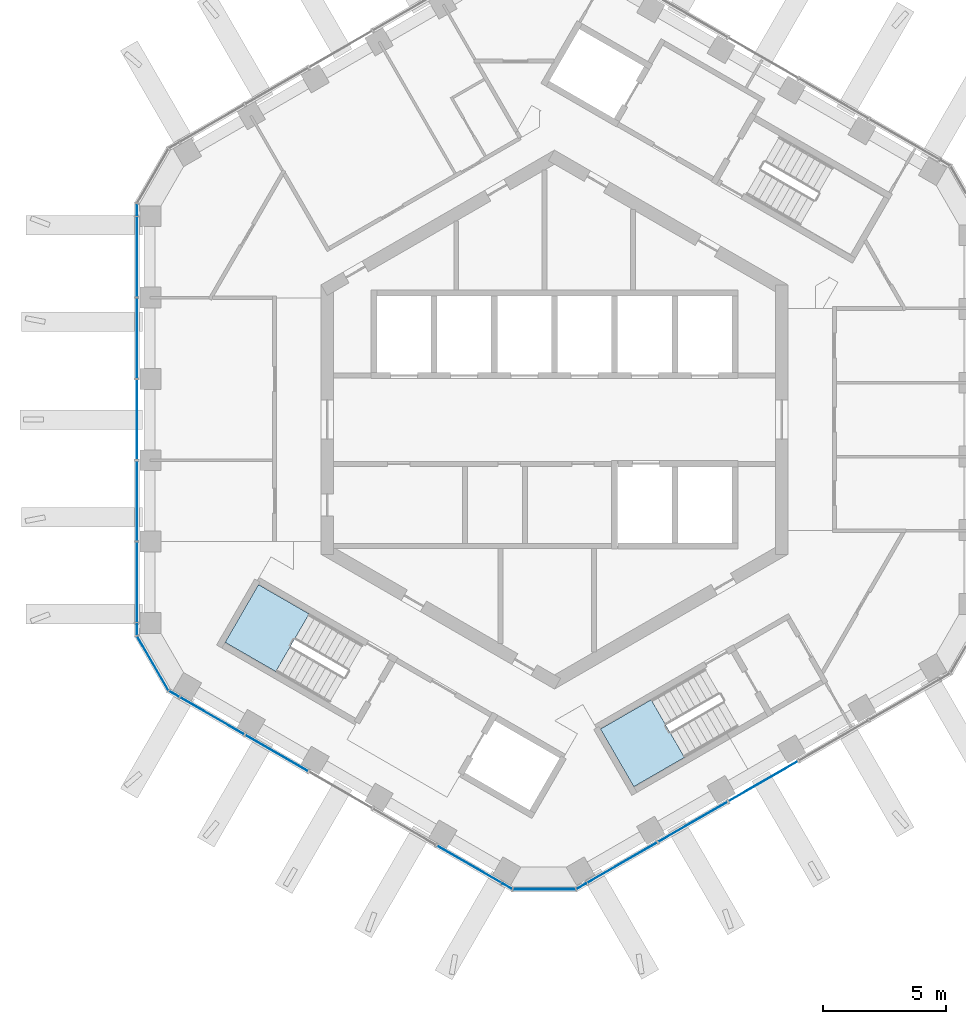
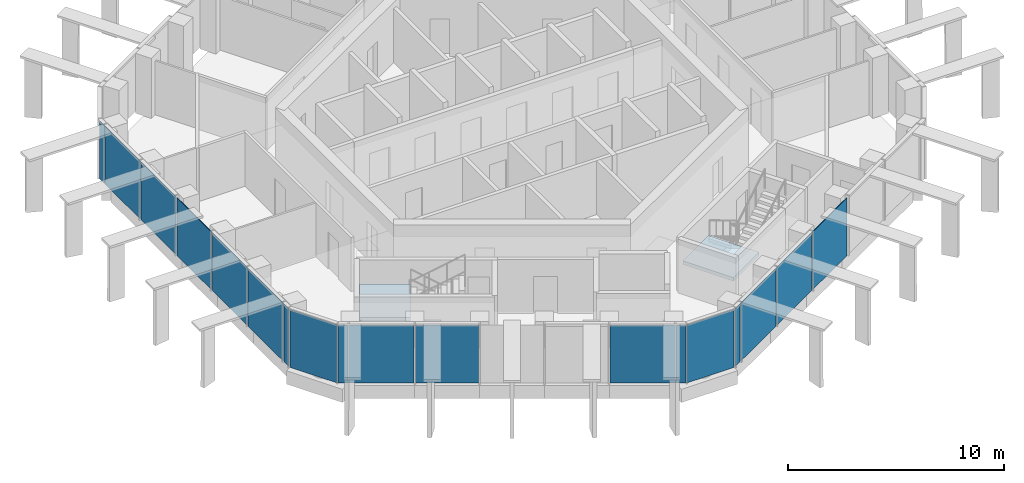
# One storey, part 7 of 18: 18 plates, 2 slabs, 8 elements without a shape of their own.
"""IFC4 building model written with IfcOpenShell, lengths in metres."""

from ifc_helpers import new_model, si_unit, direction, frame, origin, origin_2d, place, context, subcontext, project, spatial, polyline, rectangle, outline, extrude, material, layer, layer_set, type_object, element, aggregate, save


model = new_model("IFC4")

# Units and contexts
model_context = context("Model", 3, precision=1e-05, world=origin(), true_north=direction((0.0, 1.0)))
body_context = subcontext(model_context, "Body", "Model", "MODEL_VIEW")
ifc_project = project(units=[si_unit("LENGTHUNIT", "METRE"), si_unit("AREAUNIT", "SQUARE_METRE"), si_unit("VOLUMEUNIT", "CUBIC_METRE"), si_unit("PLANEANGLEUNIT", "RADIAN"), si_unit("MASSUNIT", "GRAM", prefix="KILO")], contexts=[model_context])

# Site, building, storey
site_placement = place(None, origin())
site = spatial("IfcSite", under=ifc_project, at=site_placement, CompositionType="ELEMENT")
building_placement = place(site_placement, origin())
building = spatial("IfcBuilding", under=site, at=building_placement, Name="Ayvan Gate Tower", CompositionType="ELEMENT")
storey_placement = place(building_placement, frame((0.0, 0.0, 242.699951171875)))
storey = spatial("IfcBuildingStorey", under=building, at=storey_placement, Name="L65", CompositionType="ELEMENT", Elevation=242.699951171875)

# Stair, slab
ifc_material_1 = material(Name="Concrete C40/50", Category="concrete")
stair_type = type_object("IfcStairType", Name="ST-EXIT", PredefinedType="HALF_TURN_STAIR", material=ifc_material_1)
stair_1_placement = place(storey_placement, origin())
stair_1 = element("IfcStair", 1, at=stair_1_placement, inside=storey, type_object=stair_type, Name="L65 Exit Stair S2", PredefinedType="HALF_TURN_STAIR")
ifc_layer_1 = layer(ifc_material_1, 0.199951171875)
ifc_layer_set_1 = layer_set([ifc_layer_1], Name="Concrete C40/50")
slab_type = type_object("IfcSlabType", Name="SL-LANDING-200", PredefinedType="LANDING", material=ifc_layer_set_1)
slab_1_placement = place(storey_placement, frame((0.0, 0.0, 1.5)))
slab_1 = element("IfcSlab", 2, at=slab_1_placement, type_object=slab_type, Name="STS2 landing 1", PredefinedType="LANDING", context=body_context, shape_type="SweptSolid", body=[
    extrude(outline(polyline([(-9.988525390625, -7.91064453125), (-12.049560546875, -6.720458984375), (-13.404541015625, -9.0673828125), (-11.343505859375, -10.257568359375), (-9.988525390625, -7.91064453125)])), origin(), (0.0, 0.0, 1.0), 0.199951171875),
])
aggregate(stair_1, [slab_1])

stair_2_placement = place(storey_placement, origin())
stair_2 = element("IfcStair", 3, at=stair_2_placement, inside=storey, type_object=stair_type, Name="L65 Exit Stair S3", PredefinedType="HALF_TURN_STAIR")
slab_2_placement = place(storey_placement, frame((0.0, 0.0, 1.5)))
slab_2 = element("IfcSlab", 4, at=slab_2_placement, type_object=slab_type, Name="STS3 landing 1", PredefinedType="LANDING", context=body_context, shape_type="SweptSolid", body=[
    extrude(outline(polyline([(3.93505859375, -11.405517578125), (1.873779296875, -12.595458984375), (3.228759765625, -14.9423828125), (5.2900390625, -13.75244140625), (3.93505859375, -11.405517578125)])), origin(), (0.0, 0.0, 1.0), 0.199951171875),
])
aggregate(stair_2, [slab_2])

# Curtain wall, plates
ifc_material_2 = material(Name="Bronze anodised aluminium", Category="aluminium")
ifc_layer_2 = layer(ifc_material_2, 0.199951171875)
ifc_layer_set_2 = layer_set([ifc_layer_2], Name="Bronze anodised aluminium")
curtain_wall_type_1 = type_object("IfcCurtainWallType", Name="Stick curtain wall CW-2", PredefinedType="NOTDEFINED", material=ifc_layer_set_2)
curtain_wall_1_placement = place(storey_placement, origin())
curtain_wall_1 = element("IfcCurtainWall", 5, at=curtain_wall_1_placement, inside=storey, type_object=curtain_wall_type_1, Name="Stick curtain wall CW-2 L65", PredefinedType="NOTDEFINED")
ifc_material_3 = material(Name="Clear low-iron laminated glass", Category="glass")
ifc_layer_3 = layer(ifc_material_3, 0.028076171875)
ifc_layer_set_3 = layer_set([ifc_layer_3], Name="Clear low-iron laminated glass")
plate_type_1 = type_object("IfcPlateType", Name="Stick curtain wall CW-2 glass panel", PredefinedType="CURTAIN_PANEL", material=ifc_layer_set_3)
plate_1_placement = place(storey_placement, frame((-16.9970703125, 6.64599609375, 0.0), z_axis=(0.0, 0.0, 1.0), x_axis=(0.0, -1.0, 0.0)))
plate_1 = element("IfcPlate", 6, at=plate_1_placement, type_object=plate_type_1, Name="CW-2 glass panel 1", PredefinedType="CURTAIN_PANEL", context=body_context, shape_type="SweptSolid", body=[
    extrude(rectangle(XDim=3.2919921875, YDim=0.028076171875, at=origin_2d()), origin(), (0.0, 0.0, 1.0), 3.280029296875),
])
plate_2_placement = place(storey_placement, frame((-16.9970703125, 3.309814453125, 0.0), z_axis=(0.0, 0.0, 1.0), x_axis=(0.0, -1.0, 0.0)))
plate_2 = element("IfcPlate", 7, at=plate_2_placement, type_object=plate_type_1, Name="CW-2 glass panel 2", PredefinedType="CURTAIN_PANEL", context=body_context, shape_type="SweptSolid", body=[
    extrude(rectangle(XDim=3.239990234375, YDim=0.028076171875, at=origin_2d()), origin(), (0.0, 0.0, 1.0), 3.280029296875),
])
plate_3_placement = place(storey_placement, frame((-16.9970703125, 0.0, 0.0), z_axis=(0.0, 0.0, 1.0), x_axis=(0.0, -1.0, 0.0)))
plate_3 = element("IfcPlate", 8, at=plate_3_placement, type_object=plate_type_1, Name="CW-2 glass panel 3", PredefinedType="CURTAIN_PANEL", context=body_context, shape_type="SweptSolid", body=[
    extrude(rectangle(XDim=3.239990234375, YDim=0.028076171875, at=origin_2d()), origin(), (0.0, 0.0, 1.0), 3.280029296875),
])
plate_4_placement = place(storey_placement, frame((-16.9970703125, -3.31005859375, 0.0), z_axis=(0.0, 0.0, 1.0), x_axis=(0.0, -1.0, 0.0)))
plate_4 = element("IfcPlate", 9, at=plate_4_placement, type_object=plate_type_1, Name="CW-2 glass panel 4", PredefinedType="CURTAIN_PANEL", context=body_context, shape_type="SweptSolid", body=[
    extrude(rectangle(XDim=3.239990234375, YDim=0.028076171875, at=origin_2d()), origin(), (0.0, 0.0, 1.0), 3.280029296875),
])
plate_5_placement = place(storey_placement, frame((-16.9970703125, -6.64599609375, 0.0), z_axis=(0.0, 0.0, 1.0), x_axis=(0.0, -1.0, 0.0)))
plate_5 = element("IfcPlate", 10, at=plate_5_placement, type_object=plate_type_1, Name="CW-2 glass panel 5", PredefinedType="CURTAIN_PANEL", context=body_context, shape_type="SweptSolid", body=[
    extrude(rectangle(XDim=3.291748046875, YDim=0.028076171875, at=origin_2d()), origin(), (0.0, 0.0, 1.0), 3.280029296875),
])
aggregate(curtain_wall_1, [plate_1, plate_2, plate_3, plate_4, plate_5])

curtain_wall_2_placement = place(storey_placement, origin())
curtain_wall_2 = element("IfcCurtainWall", 11, at=curtain_wall_2_placement, inside=storey, type_object=curtain_wall_type_1, Name="Stick curtain wall CW-2 L65", PredefinedType="NOTDEFINED")
plate_6_placement = place(storey_placement, frame((-13.949951171875, -12.05224609375, 0.0), z_axis=(0.0, 0.0, 1.0), x_axis=(0.866025403784, -0.5, 0.0)))
plate_6 = element("IfcPlate", 12, at=plate_6_placement, type_object=plate_type_1, Name="CW-2 glass panel 1", PredefinedType="CURTAIN_PANEL", context=body_context, shape_type="SweptSolid", body=[
    extrude(rectangle(XDim=3.034912109375, YDim=0.028076171875, at=origin_2d()), origin(), (0.0, 0.0, 1.0), 3.280029296875),
])
plate_7_placement = place(storey_placement, frame((-11.305419921875, -13.578857421875, 0.0), z_axis=(0.0, 0.0, 1.0), x_axis=(0.866025403784, -0.5, 0.0)))
plate_7 = element("IfcPlate", 13, at=plate_7_placement, type_object=plate_type_1, Name="CW-2 glass panel 2", PredefinedType="CURTAIN_PANEL", context=body_context, shape_type="SweptSolid", body=[
    extrude(rectangle(XDim=2.931884765625, YDim=0.028076171875, at=origin_2d()), origin(), (0.0, 0.0, 1.0), 3.280029296875),
])
plate_8_placement = place(storey_placement, frame((-3.46240234375, -18.107177734375, 0.0), z_axis=(0.0, 0.0, 1.0), x_axis=(0.866025403784, -0.5, 0.0)))
plate_8 = element("IfcPlate", 14, at=plate_8_placement, type_object=plate_type_1, Name="CW-2 glass panel 5", PredefinedType="CURTAIN_PANEL", context=body_context, shape_type="SweptSolid", body=[
    extrude(rectangle(XDim=3.03466796875, YDim=0.028076171875, at=origin_2d()), origin(), (0.0, 0.0, 1.0), 3.280029296875),
])
aggregate(curtain_wall_2, [plate_6, plate_7, plate_8])

curtain_wall_3_placement = place(storey_placement, origin())
curtain_wall_3 = element("IfcCurtainWall", 15, at=curtain_wall_3_placement, inside=storey, type_object=curtain_wall_type_1, Name="Stick curtain wall CW-2 L65", PredefinedType="NOTDEFINED")
plate_9_placement = place(storey_placement, frame((2.742919921875, -18.04296875, 0.0), z_axis=(0.0, 0.0, 1.0), x_axis=(0.866025403784, 0.5, 0.0)))
plate_9 = element("IfcPlate", 16, at=plate_9_placement, type_object=plate_type_1, Name="CW-2 glass panel 1", PredefinedType="CURTAIN_PANEL", context=body_context, shape_type="SweptSolid", body=[
    extrude(rectangle(XDim=3.2919921875, YDim=0.028076171875, at=origin_2d()), origin(), (0.0, 0.0, 1.0), 3.280029296875),
])
plate_10_placement = place(storey_placement, frame((5.632080078125, -16.374755859375, 0.0), z_axis=(0.0, 0.0, 1.0), x_axis=(0.866025403784, 0.5, 0.0)))
plate_10 = element("IfcPlate", 17, at=plate_10_placement, type_object=plate_type_1, Name="CW-2 glass panel 2", PredefinedType="CURTAIN_PANEL", context=body_context, shape_type="SweptSolid", body=[
    extrude(rectangle(XDim=3.239990234375, YDim=0.028076171875, at=origin_2d()), origin(), (0.0, 0.0, 1.0), 3.280029296875),
])
plate_11_placement = place(storey_placement, frame((8.49853515625, -14.7197265625, 0.0), z_axis=(0.0, 0.0, 1.0), x_axis=(0.866025403784, 0.5, 0.0)))
plate_11 = element("IfcPlate", 18, at=plate_11_placement, type_object=plate_type_1, Name="CW-2 glass panel 3", PredefinedType="CURTAIN_PANEL", context=body_context, shape_type="SweptSolid", body=[
    extrude(rectangle(XDim=3.239990234375, YDim=0.028076171875, at=origin_2d()), origin(), (0.0, 0.0, 1.0), 3.280029296875),
])
aggregate(curtain_wall_3, [plate_9, plate_10, plate_11])

# Curtain wall, plate
ifc_layer_4 = layer(ifc_material_2, 0.199951171875)
ifc_layer_set_4 = layer_set([ifc_layer_4], Name="Bronze anodised aluminium")
curtain_wall_type_2 = type_object("IfcCurtainWallType", Name="Stick curtain wall CW-6", PredefinedType="NOTDEFINED", material=ifc_layer_set_4)
curtain_wall_4_placement = place(storey_placement, origin())
curtain_wall_4 = element("IfcCurtainWall", 19, at=curtain_wall_4_placement, inside=storey, type_object=curtain_wall_type_2, Name="Stick curtain wall CW-6 L65", PredefinedType="NOTDEFINED")
ifc_layer_5 = layer(ifc_material_3, 0.028076171875)
ifc_layer_set_5 = layer_set([ifc_layer_5], Name="Clear low-iron laminated glass")
plate_type_2 = type_object("IfcPlateType", Name="Stick curtain wall CW-6 glass panel", PredefinedType="CURTAIN_PANEL", material=ifc_layer_set_5)
plate_12_placement = place(storey_placement, frame((-16.9970703125, 8.552001953125, 0.0), z_axis=(0.0, 0.0, 1.0), x_axis=(0.0, -1.0, 0.0)))
plate_12 = element("IfcPlate", 20, at=plate_12_placement, type_object=plate_type_2, Name="CW-6 glass panel 3", PredefinedType="CURTAIN_PANEL", context=body_context, shape_type="SweptSolid", body=[
    extrude(rectangle(XDim=0.449951171875, YDim=0.028076171875, at=origin_2d()), origin(), (0.0, 0.0, 1.0), 3.280029296875),
])
aggregate(curtain_wall_4, [plate_12])

# Curtain wall, plates
curtain_wall_5_placement = place(storey_placement, origin())
curtain_wall_5 = element("IfcCurtainWall", 21, at=curtain_wall_5_placement, inside=storey, type_object=curtain_wall_type_2, Name="Stick curtain wall CW-6 L65", PredefinedType="NOTDEFINED")
plate_13_placement = place(storey_placement, frame((-16.9970703125, -8.552001953125, 0.0), z_axis=(0.0, 0.0, 1.0), x_axis=(0.0, -1.0, 0.0)))
plate_13 = element("IfcPlate", 22, at=plate_13_placement, type_object=plate_type_2, Name="CW-6 glass panel 1", PredefinedType="CURTAIN_PANEL", context=body_context, shape_type="SweptSolid", body=[
    extrude(rectangle(XDim=0.449951171875, YDim=0.028076171875, at=origin_2d()), origin(), (0.0, 0.0, 1.0), 3.280029296875),
])
plate_14_placement = place(storey_placement, frame((-16.351318359375, -9.920166015625, 0.0), z_axis=(0.0, 0.0, 1.0), x_axis=(0.5, -0.866025403784, 0.0)))
plate_14 = element("IfcPlate", 23, at=plate_14_placement, type_object=plate_type_2, Name="CW-6 glass panel 2", PredefinedType="CURTAIN_PANEL", context=body_context, shape_type="SweptSolid", body=[
    extrude(rectangle(XDim=2.532470703125, YDim=0.028076171875, at=origin_2d()), origin(), (0.0, 0.0, 1.0), 3.280029296875),
])
plate_15_placement = place(storey_placement, frame((-15.4892578125, -11.16357421875, 0.0), z_axis=(0.0, 0.0, 1.0), x_axis=(0.866025403784, -0.5, 0.0)))
plate_15 = element("IfcPlate", 24, at=plate_15_placement, type_object=plate_type_2, Name="CW-6 glass panel 3", PredefinedType="CURTAIN_PANEL", context=body_context, shape_type="SweptSolid", body=[
    extrude(rectangle(XDim=0.449951171875, YDim=0.028076171875, at=origin_2d()), origin(), (0.0, 0.0, 1.0), 3.280029296875),
])
aggregate(curtain_wall_5, [plate_13, plate_14, plate_15])

curtain_wall_6_placement = place(storey_placement, origin())
curtain_wall_6 = element("IfcCurtainWall", 25, at=curtain_wall_6_placement, inside=storey, type_object=curtain_wall_type_2, Name="Stick curtain wall CW-6 L65", PredefinedType="NOTDEFINED")
plate_16_placement = place(storey_placement, frame((-1.923095703125, -18.995849609375, 0.0), z_axis=(0.0, 0.0, 1.0), x_axis=(0.866025403784, -0.5, 0.0)))
plate_16 = element("IfcPlate", 26, at=plate_16_placement, type_object=plate_type_2, Name="CW-6 glass panel 1", PredefinedType="CURTAIN_PANEL", context=body_context, shape_type="SweptSolid", body=[
    extrude(rectangle(XDim=0.449951171875, YDim=0.028076171875, at=origin_2d()), origin(), (0.0, 0.0, 1.0), 3.280029296875),
])
plate_17_placement = place(storey_placement, frame((-0.41552734375, -19.120849609375, 0.0), z_axis=(0.0, 0.0, 1.0), x_axis=(1.0, 0.0, 0.0)))
plate_17 = element("IfcPlate", 27, at=plate_17_placement, type_object=plate_type_2, Name="CW-6 glass panel 2", PredefinedType="CURTAIN_PANEL", context=body_context, shape_type="SweptSolid", body=[
    extrude(rectangle(XDim=2.532470703125, YDim=0.028076171875, at=origin_2d()), origin(), (0.0, 0.0, 1.0), 3.280029296875),
])
plate_18_placement = place(storey_placement, frame((1.09228515625, -18.995849609375, 0.0), z_axis=(0.0, 0.0, 1.0), x_axis=(0.866025403784, 0.5, 0.0)))
plate_18 = element("IfcPlate", 28, at=plate_18_placement, type_object=plate_type_2, Name="CW-6 glass panel 3", PredefinedType="CURTAIN_PANEL", context=body_context, shape_type="SweptSolid", body=[
    extrude(rectangle(XDim=0.449951171875, YDim=0.028076171875, at=origin_2d()), origin(), (0.0, 0.0, 1.0), 3.280029296875),
])
aggregate(curtain_wall_6, [plate_16, plate_17, plate_18])

save(model, "model.ifc")
